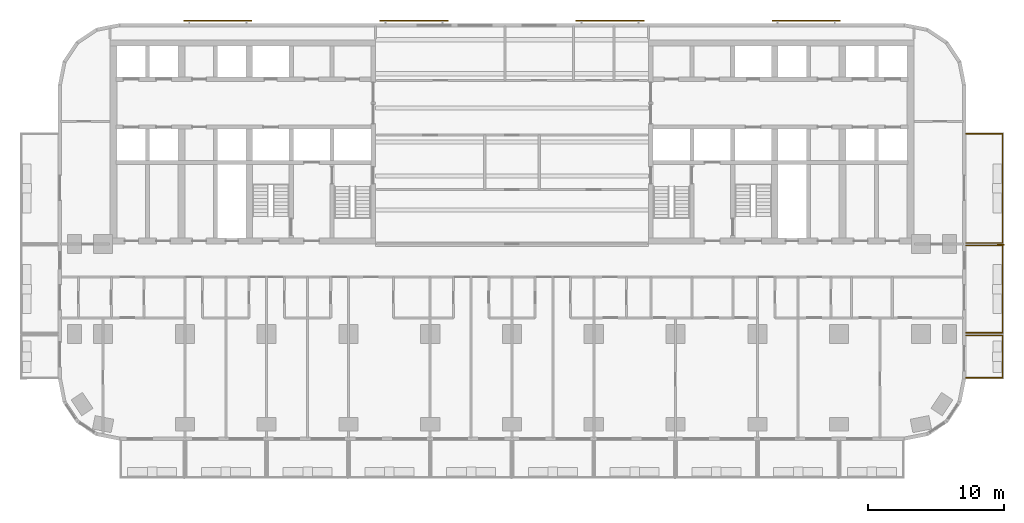
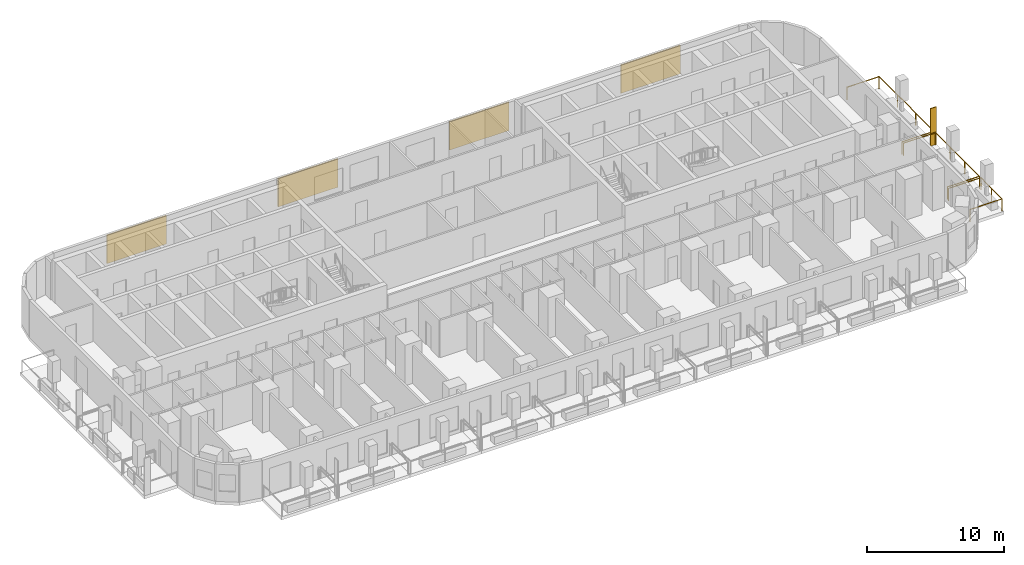
# One storey, part 14 of 15: 5 shading devices, 3 railings.
"""IFC4 building model written with IfcOpenShell, lengths in metres."""

from ifc_helpers import new_model, si_unit, direction, frame, origin, origin_2d, place, context, subcontext, project, spatial, rectangle, circle, extrude, material, layer, layer_set, type_object, element, save


model = new_model("IFC4")

# Units and contexts
model_context = context("Model", 3, precision=1e-05, world=origin(), true_north=direction((0.0, 1.0)))
body_context = subcontext(model_context, "Body", "Model", "MODEL_VIEW")
ifc_project = project(units=[si_unit("LENGTHUNIT", "METRE"), si_unit("AREAUNIT", "SQUARE_METRE"), si_unit("VOLUMEUNIT", "CUBIC_METRE"), si_unit("PLANEANGLEUNIT", "RADIAN"), si_unit("MASSUNIT", "GRAM", prefix="KILO")], contexts=[model_context])

# Site, building, storey
site_placement = place(None, origin())
site = spatial("IfcSite", under=ifc_project, at=site_placement, CompositionType="ELEMENT")
building_placement = place(site_placement, origin())
building = spatial("IfcBuilding", under=site, at=building_placement, Name="Torana Hotel and Residences", CompositionType="ELEMENT")
storey_placement = place(building_placement, frame((0.0, 0.0, 52.800048828125)))
storey = spatial("IfcBuildingStorey", under=building, at=storey_placement, Name="L12", CompositionType="ELEMENT", Elevation=52.800048828125)

# Shading device
ifc_material_1 = material(Name="Black powder coated aluminium", Category="aluminium")
ifc_layer_1 = layer(ifc_material_1, 0.080078125)
ifc_layer_set_1 = layer_set([ifc_layer_1], Name="FN1 VERTICAL FIN 500x80")
shading_device_type_1 = type_object("IfcShadingDeviceType", Name="FN1 VERTICAL FIN 500x80", PredefinedType="USERDEFINED", material=ifc_layer_set_1)
shading_device_placement = place(storey_placement, frame((35.85009765625, -15.0400390625, 0.0), z_axis=(0.0, 0.0, 1.0), x_axis=(0.0, -1.0, 0.0)))
element("IfcShadingDevice", 1, at=shading_device_placement, inside=storey, type_object=shading_device_type_1, Name="Fin 15", ObjectType="FIN", PredefinedType="USERDEFINED", context=body_context, shape_type="SweptSolid", body=[
    extrude(rectangle(XDim=0.080078125, YDim=0.5, at=origin_2d()), origin(), (0.0, 0.0, 1.0), 3.320068359375),
])

# Railings
ifc_material_2 = material(Name="Laminated glass balustrade with black handrail", Category="glass")
railing_type = type_object("IfcRailingType", Name="GR1 BALCONY GUARD 1100 GLASS", PredefinedType="GUARDRAIL", material=ifc_material_2)
railing_1_placement = place(storey_placement, frame((33.300048828125, -21.699951171875, 0.0)))
element("IfcRailing", 2, at=railing_1_placement, inside=storey, type_object=railing_type, Name="Balcony guard 14", PredefinedType="GUARDRAIL", context=body_context, shape_type="SweptSolid", body=[
    extrude(circle(Radius=0.02392578125, at=origin_2d()), frame((0.0, 0.0, 1.076171875), z_axis=(1.0, 0.0, 0.0), x_axis=(0.0, 1.0, 0.0)), (0.0, 0.0, 1.0), 2.699951171875),
    extrude(circle(Radius=0.02392578125, at=origin_2d()), frame((2.699951171875, 0.0, 1.076171875), z_axis=(0.0, -1.0, 0.0), x_axis=(1.0, 0.0, 0.0)), (0.0, 0.0, 1.0), 3.10009765625),
    extrude(circle(Radius=0.02392578125, at=origin_2d()), frame((2.699951171875, -3.10009765625, 1.076171875), z_axis=(-1.0, 0.0, 0.0), x_axis=(0.0, -1.0, 0.0)), (0.0, 0.0, 1.0), 2.699951171875),
    extrude(circle(Radius=0.02099609375, at=origin_2d()), origin(), (0.0, 0.0, 1.0), 1.052001953125),
    extrude(circle(Radius=0.02099609375, at=origin_2d()), frame((2.699951171875, 0.0, 0.0)), (0.0, 0.0, 1.0), 1.052001953125),
    extrude(circle(Radius=0.02099609375, at=origin_2d()), frame((2.699951171875, -1.550048828125, 0.0)), (0.0, 0.0, 1.0), 1.052001953125),
    extrude(circle(Radius=0.02099609375, at=origin_2d()), frame((2.699951171875, -3.10009765625, 0.0)), (0.0, 0.0, 1.0), 1.052001953125),
    extrude(circle(Radius=0.02099609375, at=origin_2d()), frame((0.0, -3.10009765625, 0.0)), (0.0, 0.0, 1.0), 1.052001953125),
])
railing_2_placement = place(storey_placement, frame((33.300048828125, -15.10009765625, 0.0)))
element("IfcRailing", 3, at=railing_2_placement, inside=storey, type_object=railing_type, Name="Balcony guard 15", PredefinedType="GUARDRAIL", context=body_context, shape_type="SweptSolid", body=[
    extrude(circle(Radius=0.02392578125, at=origin_2d()), frame((0.0, 0.0, 1.076171875), z_axis=(1.0, 0.0, 0.0), x_axis=(0.0, 1.0, 0.0)), (0.0, 0.0, 1.0), 2.699951171875),
    extrude(circle(Radius=0.02392578125, at=origin_2d()), frame((2.699951171875, 0.0, 1.076171875), z_axis=(0.0, -1.0, 0.0), x_axis=(1.0, 0.0, 0.0)), (0.0, 0.0, 1.0), 6.39990234375),
    extrude(circle(Radius=0.02392578125, at=origin_2d()), frame((2.699951171875, -6.39990234375, 1.076171875), z_axis=(-1.0, 0.0, 0.0), x_axis=(0.0, -1.0, 0.0)), (0.0, 0.0, 1.0), 2.699951171875),
    extrude(circle(Radius=0.02099609375, at=origin_2d()), origin(), (0.0, 0.0, 1.0), 1.052001953125),
    extrude(circle(Radius=0.02099609375, at=origin_2d()), frame((2.699951171875, 0.0, 0.0)), (0.0, 0.0, 1.0), 1.052001953125),
    extrude(circle(Radius=0.02099609375, at=origin_2d()), frame((2.699951171875, -2.13330078125, 0.0)), (0.0, 0.0, 1.0), 1.052001953125),
    extrude(circle(Radius=0.02099609375, at=origin_2d()), frame((2.699951171875, -4.2666015625, 0.0)), (0.0, 0.0, 1.0), 1.052001953125),
    extrude(circle(Radius=0.02099609375, at=origin_2d()), frame((2.699951171875, -6.39990234375, 0.0)), (0.0, 0.0, 1.0), 1.052001953125),
    extrude(circle(Radius=0.02099609375, at=origin_2d()), frame((0.0, -6.39990234375, 0.0)), (0.0, 0.0, 1.0), 1.052001953125),
])
railing_3_placement = place(storey_placement, frame((33.300048828125, -6.89990234375, 0.0)))
element("IfcRailing", 4, at=railing_3_placement, inside=storey, type_object=railing_type, Name="Balcony guard 16", PredefinedType="GUARDRAIL", context=body_context, shape_type="SweptSolid", body=[
    extrude(circle(Radius=0.02392578125, at=origin_2d()), frame((0.0, 0.0, 1.076171875), z_axis=(1.0, 0.0, 0.0), x_axis=(0.0, 1.0, 0.0)), (0.0, 0.0, 1.0), 2.699951171875),
    extrude(circle(Radius=0.02392578125, at=origin_2d()), frame((2.699951171875, 0.0, 1.076171875), z_axis=(0.0, -1.0, 0.0), x_axis=(1.0, 0.0, 0.0)), (0.0, 0.0, 1.0), 8.0),
    extrude(circle(Radius=0.02392578125, at=origin_2d()), frame((2.699951171875, -8.0, 1.076171875), z_axis=(-1.0, 0.0, 0.0), x_axis=(0.0, -1.0, 0.0)), (0.0, 0.0, 1.0), 2.699951171875),
    extrude(circle(Radius=0.02099609375, at=origin_2d()), origin(), (0.0, 0.0, 1.0), 1.052001953125),
    extrude(circle(Radius=0.02099609375, at=origin_2d()), frame((2.699951171875, 0.0, 0.0)), (0.0, 0.0, 1.0), 1.052001953125),
    extrude(circle(Radius=0.02099609375, at=origin_2d()), frame((2.699951171875, -2.666748046875, 0.0)), (0.0, 0.0, 1.0), 1.052001953125),
    extrude(circle(Radius=0.02099609375, at=origin_2d()), frame((2.699951171875, -5.333251953125, 0.0)), (0.0, 0.0, 1.0), 1.052001953125),
    extrude(circle(Radius=0.02099609375, at=origin_2d()), frame((2.699951171875, -8.0, 0.0)), (0.0, 0.0, 1.0), 1.052001953125),
    extrude(circle(Radius=0.02099609375, at=origin_2d()), frame((0.0, -8.0, 0.0)), (0.0, 0.0, 1.0), 1.052001953125),
])

# Shading devices
ifc_material_3 = material(Name="Concrete C40/50 precast", Category="concrete")
ifc_layer_2 = layer(ifc_material_3, 0.10009765625)
ifc_layer_set_2 = layer_set([ifc_layer_2], Name="SC1 PERFORATED BLOCK SCREEN PANEL 100")
shading_device_type_2 = type_object("IfcShadingDeviceType", Name="SC1 PERFORATED BLOCK SCREEN PANEL 100", PredefinedType="USERDEFINED", material=ifc_layer_set_2)
for number, where, z_axis, x_axis, name in (
    (5, (21.58154296875, 1.39990234375, 0.5), (0.0, 0.0, 1.0), (-1.0, 0.0, 0.0), "Perforated block screen L12"),
    (6, (7.19384765625, 1.39990234375, 0.5), (0.0, 0.0, 1.0), (-1.0, 0.0, 0.0), "Perforated block screen L12"),
    (7, (-7.19384765625, 1.39990234375, 0.5), (0.0, 0.0, 1.0), (-1.0, 0.0, 0.0), "Perforated block screen L12"),
    (8, (-21.58154296875, 1.39990234375, 0.5), (0.0, 0.0, 1.0), (-1.0, 0.0, 0.0), "Perforated block screen L12"),
):
    element("IfcShadingDevice", number, at=place(storey_placement, frame(where, z_axis=z_axis, x_axis=x_axis)), inside=storey, type_object=shading_device_type_2, Name=name, ObjectType="SCREEN", PredefinedType="USERDEFINED", context=body_context, shape_type="SweptSolid", body=[
        extrude(rectangle(XDim=5.0, YDim=0.10009765625, at=origin_2d()), origin(), (0.0, 0.0, 1.0), 2.52001953125),
    ])

save(model, "model.ifc")
